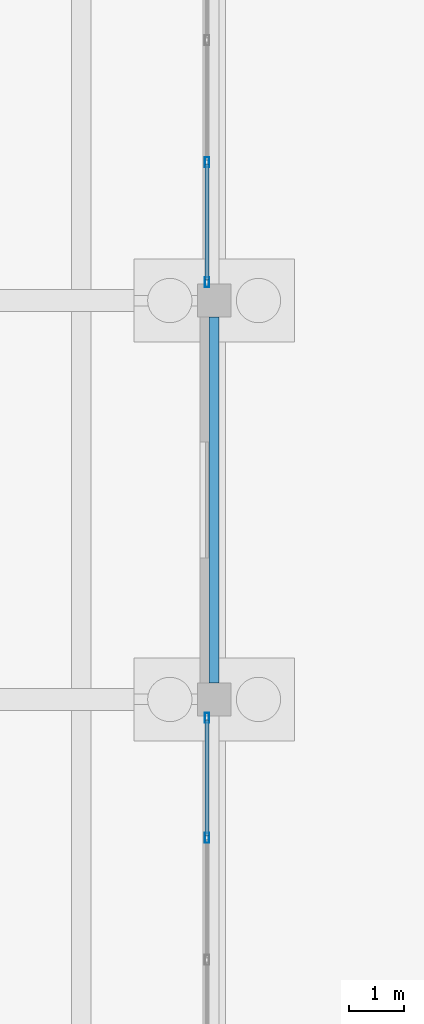
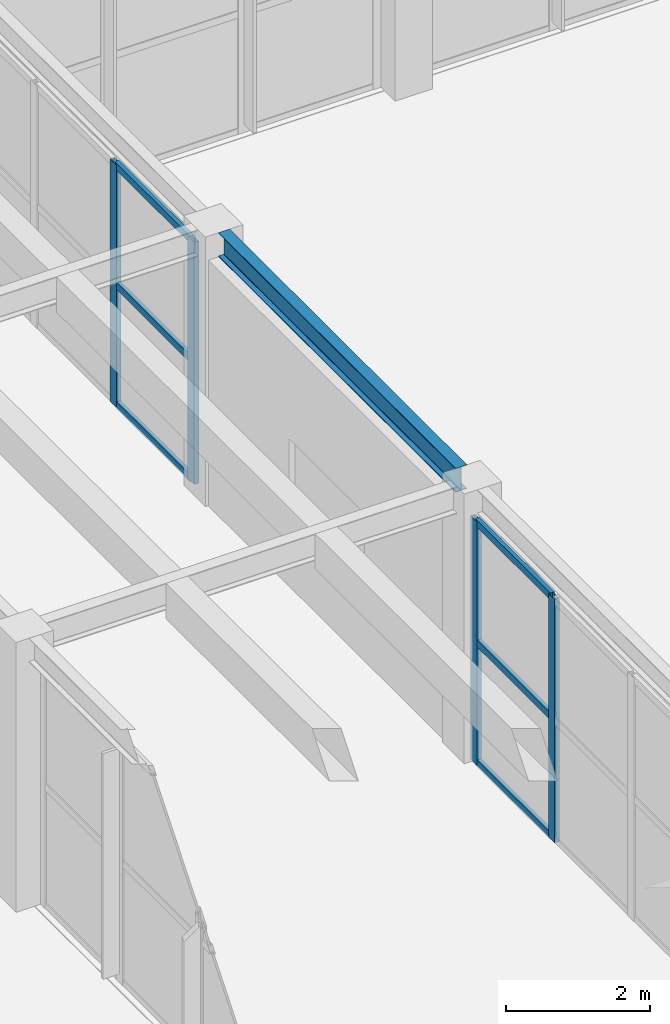
# One storey, part 38 of 155: 10 members, 1 beam, 2 elements without a shape of their own.
"""IFC4 building model written with IfcOpenShell, lengths in metres."""

from ifc_helpers import new_model, si_unit, direction, frame, origin, origin_2d, place, context, subcontext, project, spatial, hollow_rectangle, i_section, extrude, material, material_profile, profile_set, type_object, element, aggregate, save


model = new_model("IFC4")

# Units and contexts
model_context = context("Model", 3, precision=1e-05, world=origin(), true_north=direction((0.0, 1.0)))
body_context = subcontext(model_context, "Body", "Model", "MODEL_VIEW")
ifc_project = project(units=[si_unit("LENGTHUNIT", "METRE"), si_unit("AREAUNIT", "SQUARE_METRE"), si_unit("VOLUMEUNIT", "CUBIC_METRE"), si_unit("PLANEANGLEUNIT", "RADIAN"), si_unit("MASSUNIT", "GRAM", prefix="KILO")], contexts=[model_context])

# Site, building, storey
site_placement = place(None, origin())
site = spatial("IfcSite", under=ifc_project, at=site_placement, CompositionType="ELEMENT")
building_placement = place(site_placement, origin())
building = spatial("IfcBuilding", under=site, at=building_placement, Name="Bramvelor Terrace Health Centre", CompositionType="ELEMENT")
storey_placement = place(building_placement, origin())
storey = spatial("IfcBuildingStorey", under=building, at=storey_placement, Name="L01", CompositionType="ELEMENT", Elevation=0.0)

# Beam
ifc_material_1 = material(Name="Steel S355J2", Category="steel")
ifc_material_profile_1 = material_profile(ifc_material_1, i_section(OverallWidth=0.177978515625, OverallDepth=0.406494140625, WebThickness=0.0078125, FlangeThickness=0.0126953125, FilletRadius=0.01025390625, at=origin_2d()), Name="UB 406x178x60")
ifc_profile_set_1 = profile_set([ifc_material_profile_1], Name="Steel S355J2")
beam_type = type_object("IfcBeamType", Name="BM-STL-UB406", PredefinedType="BEAM", material=ifc_profile_set_1)
beam_placement = place(storey_placement, frame((64.800048828125, 21.89990234375, 4.376708984375), z_axis=(0.0, 1.0, 0.0), x_axis=(-1.0, 0.0, 0.0)))
element("IfcBeam", 1, at=beam_placement, inside=storey, type_object=beam_type, Name="L01 Floor Girder", PredefinedType="BEAM", context=body_context, shape_type="SweptSolid", body=[
    extrude(i_section(OverallWidth=0.177978515625, OverallDepth=0.406494140625, WebThickness=0.0078125, FlangeThickness=0.0126953125, FilletRadius=0.01025390625, at=origin_2d()), origin(), (0.0, 0.0, 1.0), 6.60009765625),
])

# Curtain wall, members
ifc_material_2 = material(Name="Anodized aluminium and double low-E glass", Category="aluminium")
curtain_wall_type = type_object("IfcCurtainWallType", Name="CW-SYS-07", PredefinedType="NOTDEFINED", material=ifc_material_2)
curtain_wall_1_placement = place(storey_placement, origin())
curtain_wall_1 = element("IfcCurtainWall", 2, at=curtain_wall_1_placement, inside=storey, type_object=curtain_wall_type, Name="L01 Unitized Curtain Wall 51", PredefinedType="NOTDEFINED")
ifc_material_3 = material(Name="Anodized aluminium 6063-T6", Category="aluminium")
ifc_material_profile_2 = material_profile(ifc_material_3, hollow_rectangle(XDim=0.074951171875, YDim=0.179931640625, WallThickness=0.00341796875, at=origin_2d()), Name="ALU-MUL 75x180x3.5")
ifc_profile_set_2 = profile_set([ifc_material_profile_2], Name="Anodized aluminium 6063-T6")
member_type_1 = type_object("IfcMemberType", Name="CW-MUL-65x180", PredefinedType="MULLION", material=ifc_profile_set_2)
member_1_placement = place(storey_placement, frame((64.669921875, 31.29833984375, 0.0), z_axis=(0.0, 0.0, 1.0), x_axis=(1.0, 0.0, 0.0)))
member_1 = element("IfcMember", 3, at=member_1_placement, type_object=member_type_1, Name="CW-07 mullion 3", PredefinedType="MULLION", context=body_context, shape_type="SweptSolid", body=[
    extrude(hollow_rectangle(XDim=0.074951171875, YDim=0.179931640625, WallThickness=0.00341796875, at=origin_2d()), origin(), (0.0, 0.0, 1.0), 4.114013671875),
])
member_2_placement = place(storey_placement, frame((64.669921875, 29.132568359375, 0.0), z_axis=(0.0, 0.0, 1.0), x_axis=(1.0, 0.0, 0.0)))
member_2 = element("IfcMember", 4, at=member_2_placement, type_object=member_type_1, Name="CW-07 mullion 4", PredefinedType="MULLION", context=body_context, shape_type="SweptSolid", body=[
    extrude(hollow_rectangle(XDim=0.074951171875, YDim=0.179931640625, WallThickness=0.00341796875, at=origin_2d()), origin(), (0.0, 0.0, 1.0), 4.114013671875),
])

curtain_wall_2_placement = place(storey_placement, origin())
curtain_wall_2 = element("IfcCurtainWall", 5, at=curtain_wall_2_placement, inside=storey, type_object=curtain_wall_type, Name="L01 Unitized Curtain Wall 52", PredefinedType="NOTDEFINED")
member_3_placement = place(storey_placement, frame((64.669921875, 21.267578125, 0.0), z_axis=(0.0, 0.0, 1.0), x_axis=(1.0, 0.0, 0.0)))
member_3 = element("IfcMember", 6, at=member_3_placement, type_object=member_type_1, Name="CW-07 mullion 1", PredefinedType="MULLION", context=body_context, shape_type="SweptSolid", body=[
    extrude(hollow_rectangle(XDim=0.074951171875, YDim=0.179931640625, WallThickness=0.00341796875, at=origin_2d()), origin(), (0.0, 0.0, 1.0), 4.134033203125),
])
member_4_placement = place(storey_placement, frame((64.669921875, 19.1015625, 0.0), z_axis=(0.0, 0.0, 1.0), x_axis=(1.0, 0.0, 0.0)))
member_4 = element("IfcMember", 7, at=member_4_placement, type_object=member_type_1, Name="CW-07 mullion 2", PredefinedType="MULLION", context=body_context, shape_type="SweptSolid", body=[
    extrude(hollow_rectangle(XDim=0.074951171875, YDim=0.179931640625, WallThickness=0.00341796875, at=origin_2d()), origin(), (0.0, 0.0, 1.0), 4.134033203125),
])

# Member
ifc_material_4 = material(Name="Anodized aluminium 6063-T6", Category="aluminium")
ifc_material_profile_3 = material_profile(ifc_material_4, hollow_rectangle(XDim=0.06494140625, YDim=0.1201171875, WallThickness=0.0029296875, at=origin_2d()), Name="ALU-TRN 65x120x3.0")
ifc_profile_set_3 = profile_set([ifc_material_profile_3], Name="Anodized aluminium 6063-T6")
member_type_2 = type_object("IfcMemberType", Name="CW-TRN-65x150", PredefinedType="USERDEFINED", material=ifc_profile_set_3)
member_5_placement = place(storey_placement, frame((64.669921875, 31.2607421875, 0.032470703125), z_axis=(0.0, -1.0, 0.0), x_axis=(1.0, 0.0, 0.0)))
member_5 = element("IfcMember", 8, at=member_5_placement, type_object=member_type_2, Name="CW-07 transom 3.1", ObjectType="TRANSOM", PredefinedType="USERDEFINED", context=body_context, shape_type="SweptSolid", body=[
    extrude(hollow_rectangle(XDim=0.06494140625, YDim=0.1201171875, WallThickness=0.0029296875, at=origin_2d()), origin(), (0.0, 0.0, 1.0), 2.0908203125),
])

member_6_placement = place(storey_placement, frame((64.669921875, 31.2607421875, 2.056884765625), z_axis=(0.0, -1.0, 0.0), x_axis=(1.0, 0.0, 0.0)))
member_6 = element("IfcMember", 9, at=member_6_placement, type_object=member_type_2, Name="CW-07 transom 3.2", ObjectType="TRANSOM", PredefinedType="USERDEFINED", context=body_context, shape_type="SweptSolid", body=[
    extrude(hollow_rectangle(XDim=0.06494140625, YDim=0.1201171875, WallThickness=0.0029296875, at=origin_2d()), origin(), (0.0, 0.0, 1.0), 2.0908203125),
])

member_7_placement = place(storey_placement, frame((64.669921875, 31.2607421875, 4.08154296875), z_axis=(0.0, -1.0, 0.0), x_axis=(1.0, 0.0, 0.0)))
member_7 = element("IfcMember", 10, at=member_7_placement, type_object=member_type_2, Name="CW-07 transom 3.3", ObjectType="TRANSOM", PredefinedType="USERDEFINED", context=body_context, shape_type="SweptSolid", body=[
    extrude(hollow_rectangle(XDim=0.06494140625, YDim=0.1201171875, WallThickness=0.0029296875, at=origin_2d()), origin(), (0.0, 0.0, 1.0), 2.0908203125),
])

aggregate(curtain_wall_1, [member_1, member_2, member_5, member_6, member_7])

member_8_placement = place(storey_placement, frame((64.669921875, 21.22998046875, 0.032470703125), z_axis=(0.0, -1.0, 0.0), x_axis=(1.0, 0.0, 0.0)))
member_8 = element("IfcMember", 11, at=member_8_placement, type_object=member_type_2, Name="CW-07 transom 1.1", ObjectType="TRANSOM", PredefinedType="USERDEFINED", context=body_context, shape_type="SweptSolid", body=[
    extrude(hollow_rectangle(XDim=0.06494140625, YDim=0.1201171875, WallThickness=0.0029296875, at=origin_2d()), origin(), (0.0, 0.0, 1.0), 2.0908203125),
])

member_9_placement = place(storey_placement, frame((64.669921875, 21.22998046875, 2.06689453125), z_axis=(0.0, -1.0, 0.0), x_axis=(1.0, 0.0, 0.0)))
member_9 = element("IfcMember", 12, at=member_9_placement, type_object=member_type_2, Name="CW-07 transom 1.2", ObjectType="TRANSOM", PredefinedType="USERDEFINED", context=body_context, shape_type="SweptSolid", body=[
    extrude(hollow_rectangle(XDim=0.06494140625, YDim=0.1201171875, WallThickness=0.0029296875, at=origin_2d()), origin(), (0.0, 0.0, 1.0), 2.0908203125),
])

member_10_placement = place(storey_placement, frame((64.669921875, 21.22998046875, 4.1015625), z_axis=(0.0, -1.0, 0.0), x_axis=(1.0, 0.0, 0.0)))
member_10 = element("IfcMember", 13, at=member_10_placement, type_object=member_type_2, Name="CW-07 transom 1.3", ObjectType="TRANSOM", PredefinedType="USERDEFINED", context=body_context, shape_type="SweptSolid", body=[
    extrude(hollow_rectangle(XDim=0.06494140625, YDim=0.1201171875, WallThickness=0.0029296875, at=origin_2d()), origin(), (0.0, 0.0, 1.0), 2.0908203125),
])

aggregate(curtain_wall_2, [member_3, member_4, member_8, member_9, member_10])

save(model, "model.ifc")
